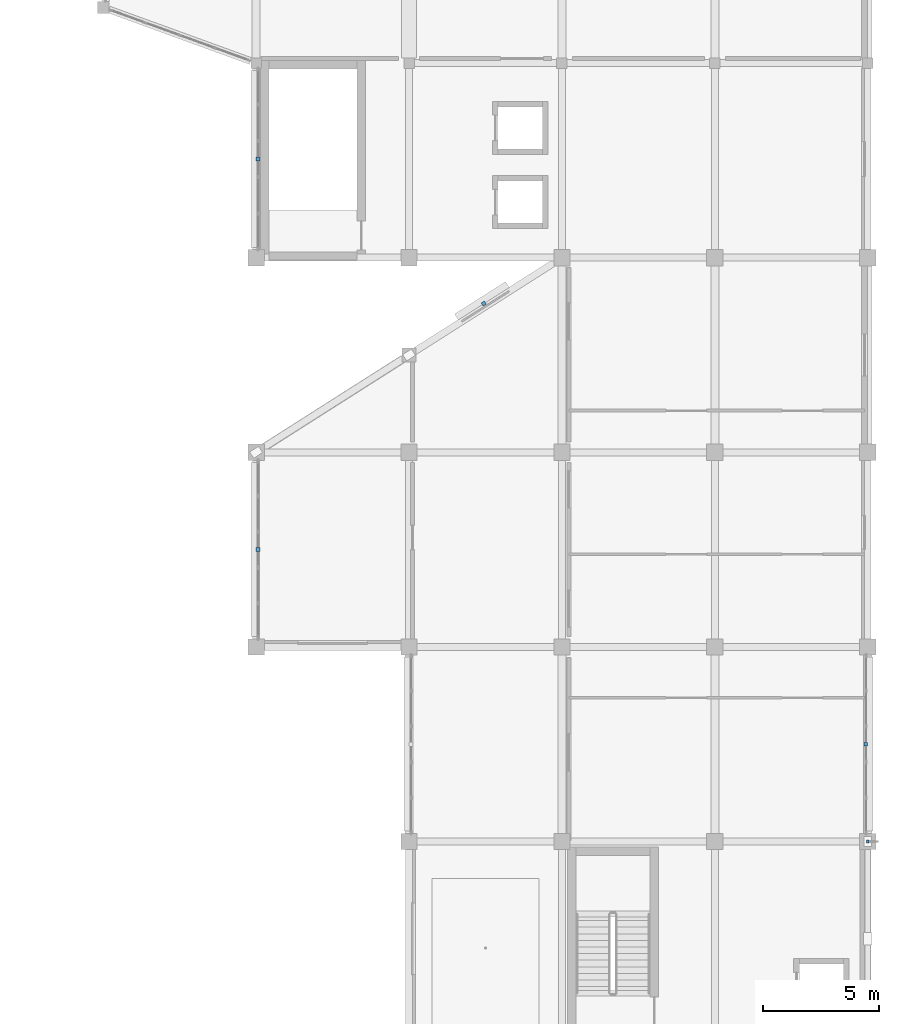
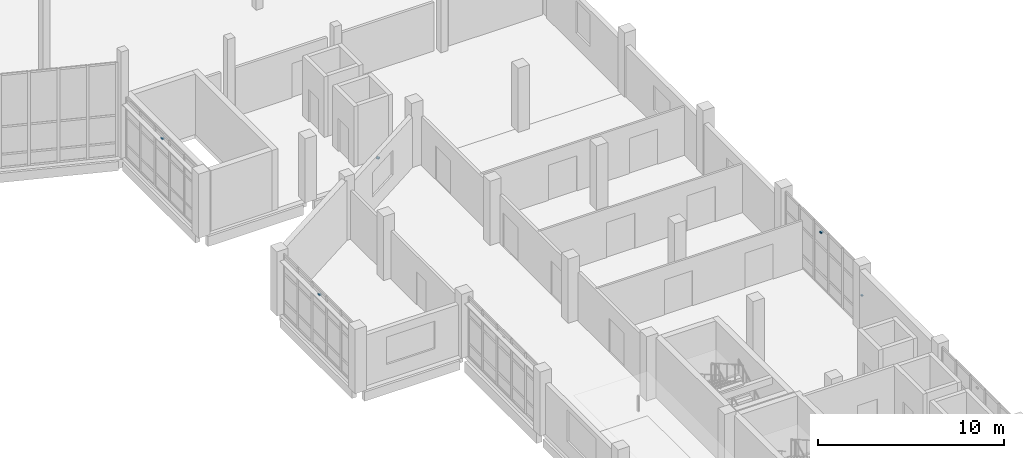
# One storey, part 69 of 78: 5 discrete accessories.
"""IFC4 building model written with IfcOpenShell, lengths in metres."""

from ifc_helpers import new_model, si_unit, direction, frame, origin, origin_2d, place, context, subcontext, project, spatial, rectangle, extrude, material, layer, layer_set, type_object, element, save


model = new_model("IFC4")

# Units and contexts
model_context = context("Model", 3, precision=1e-05, world=origin(), true_north=direction((0.0, 1.0)))
body_context = subcontext(model_context, "Body", "Model", "MODEL_VIEW")
ifc_project = project(units=[si_unit("LENGTHUNIT", "METRE"), si_unit("AREAUNIT", "SQUARE_METRE"), si_unit("VOLUMEUNIT", "CUBIC_METRE"), si_unit("PLANEANGLEUNIT", "RADIAN"), si_unit("MASSUNIT", "GRAM", prefix="KILO")], contexts=[model_context])

# Site, building, storey
site_placement = place(None, origin())
site = spatial("IfcSite", under=ifc_project, at=site_placement, CompositionType="ELEMENT")
building_placement = place(site_placement, origin())
building = spatial("IfcBuilding", under=site, at=building_placement, Name="Qaldarim Faculty of Natural and Applied Sciences", CompositionType="ELEMENT")
storey_placement = place(building_placement, frame((0.0, 0.0, 18.60009765625)))
storey = spatial("IfcBuildingStorey", under=building, at=storey_placement, Name="L04", CompositionType="ELEMENT", Elevation=18.60009765625)

# Discrete accessories
ifc_material = material(Name="Architectural stainless steel 316", Category="steel")
ifc_layer = layer(ifc_material, 0.080078125)
ifc_layer_set = layer_set([ifc_layer], Name="Architectural stainless steel 316")
discrete_accessory_type = type_object("IfcDiscreteAccessoryType", Name="FacadeBracket-SS120", PredefinedType="BRACKET", material=ifc_layer_set)
for number, where, z_axis, x_axis, name in (
    (1, (151.8798828125, 46.199951171875, 3.5498046875), (0.0, 0.0, 1.0), (0.0, 1.0, 0.0), "Solar louvre support bracket SHD-L04-W-X24Y06"),
    (2, (151.8798828125, 63.06005859375, 3.5498046875), (0.0, 0.0, 1.0), (0.0, 1.0, 0.0), "Solar louvre support bracket SHD-L04-W-X24Y08"),
    (3, (178.1201171875, 37.800048828125, 3.5498046875), (0.0, 0.0, 1.0), (0.0, 1.0, 0.0), "Solar louvre support bracket SHD-L04-E-X27Y05"),
    (4, (161.625, 56.820068359375, 2.659912109375), (0.0, 0.0, 1.0), (0.843775713382, 0.536695952571, 0.0), "Oblique solar louvre bracket SHD-OBL-NW-L04-2"),
):
    element("IfcDiscreteAccessory", number, at=place(storey_placement, frame(where, z_axis=z_axis, x_axis=x_axis)), inside=storey, type_object=discrete_accessory_type, Name=name, PredefinedType="BRACKET", context=body_context, shape_type="SweptSolid", body=[
        extrude(rectangle(XDim=0.159912109375, YDim=0.159912109375, at=origin_2d()), origin(), (0.0, 0.0, 1.0), 0.080078125),
    ])
discrete_accessory_placement = place(storey_placement, frame((178.199951171875, 33.60009765625, 1.929931640625), z_axis=(0.0, 0.0, 1.0), x_axis=(1.0, 0.0, 0.0)))
element("IfcDiscreteAccessory", 5, at=discrete_accessory_placement, inside=storey, type_object=discrete_accessory_type, Name="Tower fin bracket FIN-V5E-L04-Y05", PredefinedType="BRACKET", context=body_context, shape_type="SweptSolid", body=[
    extrude(rectangle(XDim=0.1201171875, YDim=0.1201171875, at=origin_2d()), origin(), (0.0, 0.0, 1.0), 0.080078125),
])

save(model, "model.ifc")
